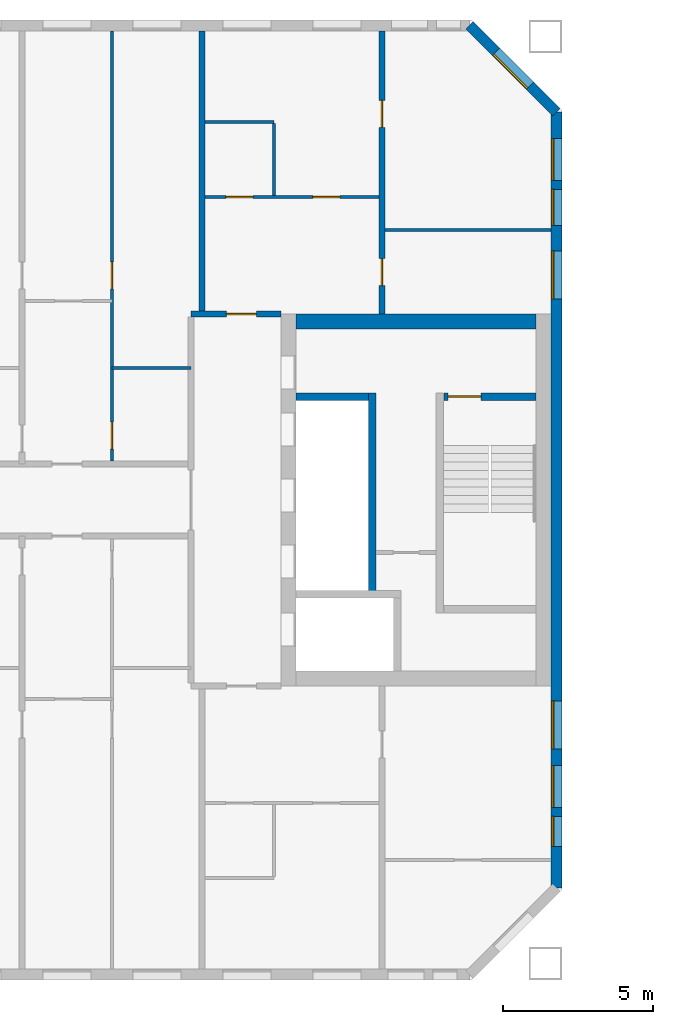
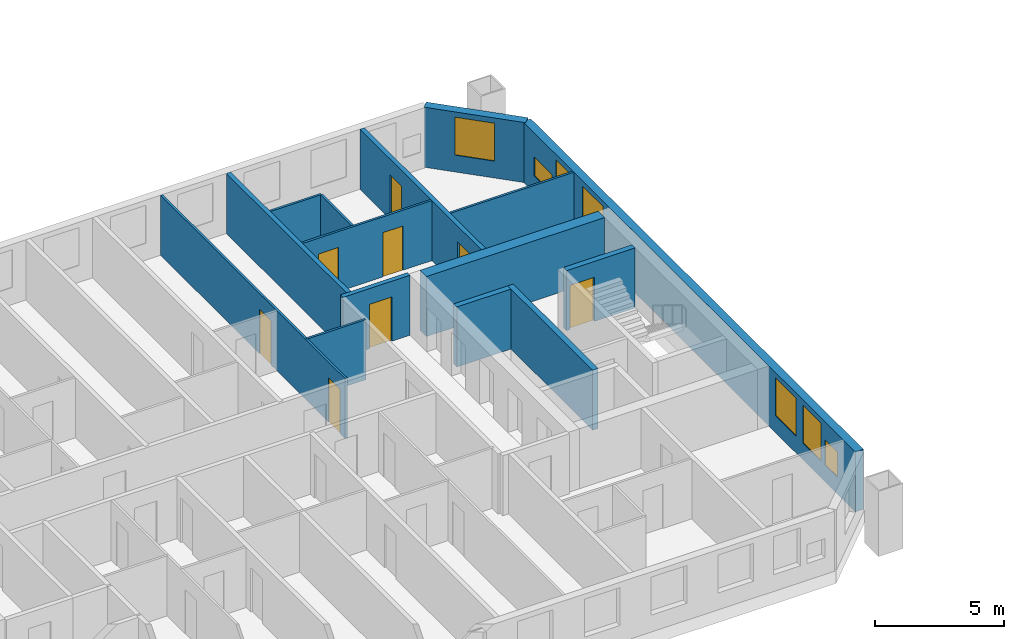
# One storey, part 7 of 15: 15 walls, 8 doors, 7 windows, 15 openings.
"""IFC4 building model written with IfcOpenShell, lengths in metres."""

from ifc_helpers import new_model, si_unit, direction, frame, frame_2d, origin, place, context, subcontext, project, spatial, rectangle, extrude, material, layer, layer_set, type_object, element, fill, save


model = new_model("IFC4")

# Units and contexts
model_context = context("Model", 3, precision=1e-05, world=origin(), true_north=direction((0.0, 1.0)))
body_context = subcontext(model_context, "Body", "Model", "MODEL_VIEW")
ifc_project = project(units=[si_unit("LENGTHUNIT", "METRE"), si_unit("AREAUNIT", "SQUARE_METRE"), si_unit("VOLUMEUNIT", "CUBIC_METRE"), si_unit("PLANEANGLEUNIT", "RADIAN"), si_unit("MASSUNIT", "GRAM", prefix="KILO")], contexts=[model_context])

# Site, building, storey
site_placement = place(None, origin())
site = spatial("IfcSite", under=ifc_project, at=site_placement, CompositionType="ELEMENT")
building_placement = place(site_placement, origin())
building = spatial("IfcBuilding", under=site, at=building_placement, Name="Tuart Gate Housing", CompositionType="ELEMENT")
storey_placement = place(building_placement, frame((0.0, 0.0, 148.5)))
storey = spatial("IfcBuildingStorey", under=building, at=storey_placement, Name="L41", CompositionType="ELEMENT", Elevation=148.5)

# Wall, openings, windows
ifc_material_1 = material(Name="Brick", Category="masonry")
ifc_layer_1 = layer(ifc_material_1, 0.360107421875)
ifc_layer_set_1 = layer_set([ifc_layer_1], Name="Brick pier and spandrel wall 360")
wall_type_1 = type_object("IfcWallType", Name="Brick pier and spandrel wall 360", PredefinedType="STANDARD", material=ifc_layer_set_1)
wall_1_placement = place(storey_placement, frame((75.820068359375, 57.07470703125, 0.0), z_axis=(0.0, 0.0, 1.0), x_axis=(0.0, 1.0, 0.0)))
wall_1 = element("IfcWall", 1, at=wall_1_placement, inside=storey, type_object=wall_type_1, Name="External wall A-E L41", PredefinedType="STANDARD", context=body_context, shape_type="SweptSolid", body=[
    extrude(rectangle(XDim=25.850830078125, YDim=0.360107421875, at=frame_2d((12.92529296875, 0.0))), origin(), (0.0, 0.0, 1.0), 2.85009765625),
])
opening_1_placement = place(wall_1_placement, frame((1.37548828125, 0.0, 0.800048828125)))
opening_1 = element("IfcOpeningElement", 2, at=opening_1_placement, cuts=wall_1, Name="Opening W1O", PredefinedType="OPENING", context=body_context, shape_type="SweptSolid", body=[
    extrude(rectangle(XDim=1.0, YDim=1.199951171875, at=frame_2d((0.5, 0.60009765625))), frame((0.0, 0.18994140625, 0.0), z_axis=(0.0, -1.0, 0.0), x_axis=(1.0, 0.0, 0.0)), (0.0, 0.0, 1.0), 0.380126953125),
])
opening_2_placement = place(wall_1_placement, frame((4.62548828125, 0.0, 0.800048828125)))
opening_2 = element("IfcOpeningElement", 3, at=opening_2_placement, cuts=wall_1, Name="Opening W1", PredefinedType="OPENING", context=body_context, shape_type="SweptSolid", body=[
    extrude(rectangle(XDim=1.60009765625, YDim=1.800048828125, at=frame_2d((0.800048828125, 0.89990234375))), frame((0.0, 0.18994140625, 0.0), z_axis=(0.0, -1.0, 0.0), x_axis=(1.0, 0.0, 0.0)), (0.0, 0.0, 1.0), 0.380126953125),
])
opening_3_placement = place(wall_1_placement, frame((19.62548828125, 0.0, 0.800048828125)))
opening_3 = element("IfcOpeningElement", 4, at=opening_3_placement, cuts=wall_1, Name="Opening W1", PredefinedType="OPENING", context=body_context, shape_type="SweptSolid", body=[
    extrude(rectangle(XDim=1.60009765625, YDim=1.800048828125, at=frame_2d((0.800048828125, 0.89990234375))), frame((0.0, 0.18994140625, 0.0), z_axis=(0.0, -1.0, 0.0), x_axis=(1.0, 0.0, 0.0)), (0.0, 0.0, 1.0), 0.380126953125),
])
opening_4_placement = place(wall_1_placement, frame((22.075439453125, 0.0, 0.800048828125)))
opening_4 = element("IfcOpeningElement", 5, at=opening_4_placement, cuts=wall_1, Name="Opening W1B", PredefinedType="OPENING", context=body_context, shape_type="SweptSolid", body=[
    extrude(rectangle(XDim=1.199951171875, YDim=1.800048828125, at=frame_2d((0.60009765625, 0.89990234375))), frame((0.0, 0.18994140625, 0.0), z_axis=(0.0, -1.0, 0.0), x_axis=(1.0, 0.0, 0.0)), (0.0, 0.0, 1.0), 0.380126953125),
])
opening_5_placement = place(wall_1_placement, frame((2.67529296875, 0.0, 0.800048828125)))
opening_5 = element("IfcOpeningElement", 6, at=opening_5_placement, cuts=wall_1, Name="Opening W1A", PredefinedType="OPENING", context=body_context, shape_type="SweptSolid", body=[
    extrude(rectangle(XDim=1.39990234375, YDim=1.800048828125, at=frame_2d((0.699951171875, 0.89990234375))), frame((0.0, 0.18994140625, 0.0), z_axis=(0.0, -1.0, 0.0), x_axis=(1.0, 0.0, 0.0)), (0.0, 0.0, 1.0), 0.380126953125),
])
opening_6_placement = place(wall_1_placement, frame((23.575439453125, 0.0, 0.800048828125)))
opening_6 = element("IfcOpeningElement", 7, at=opening_6_placement, cuts=wall_1, Name="Opening W1S", PredefinedType="OPENING", context=body_context, shape_type="SweptSolid", body=[
    extrude(rectangle(XDim=1.39990234375, YDim=0.89990234375, at=frame_2d((0.699951171875, 0.449951171875))), frame((0.0, 0.18994140625, 0.0), z_axis=(0.0, -1.0, 0.0), x_axis=(1.0, 0.0, 0.0)), (0.0, 0.0, 1.0), 0.380126953125),
])
ifc_material_2 = material(Name="Aluminium frame with clear glass", Category="aluminium")
window_type_1 = type_object("IfcWindowType", Name="Punched window 1000 x 1200", PartitioningType="SINGLE_PANEL", PredefinedType="WINDOW", material=ifc_material_2)
window_1_placement = place(opening_1_placement, origin())
window_1 = element("IfcWindow", 8, at=window_1_placement, inside=storey, type_object=window_type_1, Name="Window W1O", OverallHeight=1.199951171875, OverallWidth=1.0, PartitioningType="SINGLE_PANEL", PredefinedType="WINDOW", context=body_context, shape_type="SweptSolid", body=[
    extrude(rectangle(XDim=1.0, YDim=1.199951171875, at=frame_2d((0.5, 0.60009765625))), frame((0.0, 0.150146484375, 0.0), z_axis=(0.0, -1.0, 0.0), x_axis=(1.0, 0.0, 0.0)), (0.0, 0.0, 1.0), 0.06005859375),
])
fill(opening_1, window_1)
ifc_material_3 = material(Name="Aluminium frame with clear glass", Category="aluminium")
window_type_2 = type_object("IfcWindowType", Name="Punched window 1200 x 1800", PartitioningType="SINGLE_PANEL", PredefinedType="WINDOW", material=ifc_material_3)
window_2_placement = place(opening_4_placement, origin())
window_2 = element("IfcWindow", 9, at=window_2_placement, inside=storey, type_object=window_type_2, Name="Window W1B", OverallHeight=1.800048828125, OverallWidth=1.199951171875, PartitioningType="SINGLE_PANEL", PredefinedType="WINDOW", context=body_context, shape_type="SweptSolid", body=[
    extrude(rectangle(XDim=1.199951171875, YDim=1.800048828125, at=frame_2d((0.60009765625, 0.89990234375))), frame((0.0, 0.150146484375, 0.0), z_axis=(0.0, -1.0, 0.0), x_axis=(1.0, 0.0, 0.0)), (0.0, 0.0, 1.0), 0.06005859375),
])
fill(opening_4, window_2)
ifc_material_4 = material(Name="Aluminium frame with clear glass", Category="aluminium")
window_type_3 = type_object("IfcWindowType", Name="Punched window 1400 x 1800", PartitioningType="SINGLE_PANEL", PredefinedType="WINDOW", material=ifc_material_4)
window_3_placement = place(opening_5_placement, origin())
window_3 = element("IfcWindow", 10, at=window_3_placement, inside=storey, type_object=window_type_3, Name="Window W1A", OverallHeight=1.800048828125, OverallWidth=1.39990234375, PartitioningType="SINGLE_PANEL", PredefinedType="WINDOW", context=body_context, shape_type="SweptSolid", body=[
    extrude(rectangle(XDim=1.39990234375, YDim=1.800048828125, at=frame_2d((0.699951171875, 0.89990234375))), frame((0.0, 0.150146484375, 0.0), z_axis=(0.0, -1.0, 0.0), x_axis=(1.0, 0.0, 0.0)), (0.0, 0.0, 1.0), 0.06005859375),
])
fill(opening_5, window_3)
ifc_material_5 = material(Name="Aluminium frame with clear glass", Category="aluminium")
window_type_4 = type_object("IfcWindowType", Name="Punched window 1400 x 900", PartitioningType="SINGLE_PANEL", PredefinedType="WINDOW", material=ifc_material_5)
window_4_placement = place(opening_6_placement, origin())
window_4 = element("IfcWindow", 11, at=window_4_placement, inside=storey, type_object=window_type_4, Name="Window W1S", OverallHeight=0.89990234375, OverallWidth=1.39990234375, PartitioningType="SINGLE_PANEL", PredefinedType="WINDOW", context=body_context, shape_type="SweptSolid", body=[
    extrude(rectangle(XDim=1.39990234375, YDim=0.89990234375, at=frame_2d((0.699951171875, 0.449951171875))), frame((0.0, 0.150146484375, 0.0), z_axis=(0.0, -1.0, 0.0), x_axis=(1.0, 0.0, 0.0)), (0.0, 0.0, 1.0), 0.06005859375),
])
fill(opening_6, window_4)
ifc_material_6 = material(Name="Aluminium frame with clear glass", Category="aluminium")
window_type_5 = type_object("IfcWindowType", Name="Punched window 1600 x 1800", PartitioningType="SINGLE_PANEL", PredefinedType="WINDOW", material=ifc_material_6)
window_5_placement = place(opening_2_placement, origin())
window_5 = element("IfcWindow", 12, at=window_5_placement, inside=storey, type_object=window_type_5, Name="Window W1", OverallHeight=1.800048828125, OverallWidth=1.60009765625, PartitioningType="SINGLE_PANEL", PredefinedType="WINDOW", context=body_context, shape_type="SweptSolid", body=[
    extrude(rectangle(XDim=1.60009765625, YDim=1.800048828125, at=frame_2d((0.800048828125, 0.89990234375))), frame((0.0, 0.150146484375, 0.0), z_axis=(0.0, -1.0, 0.0), x_axis=(1.0, 0.0, 0.0)), (0.0, 0.0, 1.0), 0.06005859375),
])
fill(opening_2, window_5)
window_6_placement = place(opening_3_placement, origin())
window_6 = element("IfcWindow", 13, at=window_6_placement, inside=storey, type_object=window_type_5, Name="Window W1", OverallHeight=1.800048828125, OverallWidth=1.60009765625, PartitioningType="SINGLE_PANEL", PredefinedType="WINDOW", context=body_context, shape_type="SweptSolid", body=[
    extrude(rectangle(XDim=1.60009765625, YDim=1.800048828125, at=frame_2d((0.800048828125, 0.89990234375))), frame((0.0, 0.150146484375, 0.0), z_axis=(0.0, -1.0, 0.0), x_axis=(1.0, 0.0, 0.0)), (0.0, 0.0, 1.0), 0.06005859375),
])
fill(opening_3, window_6)

# Wall, opening, window
wall_2_placement = place(storey_placement, frame((75.820068359375, 82.92529296875, 0.0), z_axis=(0.0, 0.0, 1.0), x_axis=(-0.707106781187, 0.707106781187, 0.0)))
wall_2 = element("IfcWall", 14, at=wall_2_placement, inside=storey, type_object=wall_type_1, Name="External wall A-NE L41", PredefinedType="STANDARD", context=body_context, shape_type="SweptSolid", body=[
    extrude(rectangle(XDim=4.09375, YDim=0.360107421875, at=frame_2d((2.046875, 0.0))), origin(), (0.0, 0.0, 1.0), 2.85009765625),
])
opening_7_placement = place(wall_2_placement, frame((1.2470703125, 0.0, 0.800048828125)))
opening_7 = element("IfcOpeningElement", 15, at=opening_7_placement, cuts=wall_2, Name="Opening W1", PredefinedType="OPENING", context=body_context, shape_type="SweptSolid", body=[
    extrude(rectangle(XDim=1.60009765625, YDim=1.800048828125, at=frame_2d((0.800048828125, 0.89990234375))), frame((0.0, 0.18994140625, 0.0), z_axis=(0.0, -1.0, 0.0), x_axis=(1.0, 0.0, 0.0)), (0.0, 0.0, 1.0), 0.380126953125),
])
window_7_placement = place(opening_7_placement, origin())
window_7 = element("IfcWindow", 16, at=window_7_placement, inside=storey, type_object=window_type_5, Name="Window W1", OverallHeight=1.800048828125, OverallWidth=1.60009765625, PartitioningType="SINGLE_PANEL", PredefinedType="WINDOW", context=body_context, shape_type="SweptSolid", body=[
    extrude(rectangle(XDim=1.60009765625, YDim=1.800048828125, at=frame_2d((0.800048828125, 0.89990234375))), frame((0.0, 0.150146484375, 0.0), z_axis=(0.0, -1.0, 0.0), x_axis=(1.0, 0.0, 0.0)), (0.0, 0.0, 1.0), 0.06005859375),
])
fill(opening_7, window_7)

# Wall
ifc_material_7 = material(Name="Concrete C40", Category="concrete")
ifc_layer_2 = layer(ifc_material_7, 0.25)
ifc_layer_set_2 = layer_set([ifc_layer_2], Name="Core wall 250 C40")
wall_type_2 = type_object("IfcWallType", Name="Core wall 250 C40", PredefinedType="SHEAR", material=ifc_layer_set_2)
wall_3_placement = place(storey_placement, frame((67.139892578125, 73.449951171875, 0.0), z_axis=(0.0, 0.0, 1.0), x_axis=(1.0, 0.0, 0.0)))
element("IfcWall", 17, at=wall_3_placement, inside=storey, type_object=wall_type_2, Name="Core wall AG.4", PredefinedType="SHEAR", context=body_context, shape_type="SweptSolid", body=[
    extrude(rectangle(XDim=2.425048828125, YDim=0.25, at=frame_2d((1.21240234375, 0.0))), origin(), (0.0, 0.0, 1.0), 2.85009765625),
])

# Wall, opening, door
wall_4_placement = place(storey_placement, frame((72.06494140625, 73.449951171875, 0.0), z_axis=(0.0, 0.0, 1.0), x_axis=(1.0, 0.0, 0.0)))
wall_4 = element("IfcWall", 18, at=wall_4_placement, inside=storey, type_object=wall_type_2, Name="Core wall AG.5", PredefinedType="SHEAR", context=body_context, shape_type="SweptSolid", body=[
    extrude(rectangle(XDim=3.074951171875, YDim=0.25, at=frame_2d((1.53759765625, 0.0))), origin(), (0.0, 0.0, 1.0), 2.85009765625),
])
opening_8_placement = place(wall_4_placement, frame((0.14990234375, 0.0, 0.0)))
opening_8 = element("IfcOpeningElement", 19, at=opening_8_placement, cuts=wall_4, Name="Opening D1538", PredefinedType="OPENING", context=body_context, shape_type="SweptSolid", body=[
    extrude(rectangle(XDim=1.10009765625, YDim=2.10009765625, at=frame_2d((0.550048828125, 1.050048828125))), frame((0.0, 0.135009765625, 0.0), z_axis=(0.0, -1.0, 0.0), x_axis=(1.0, 0.0, 0.0)), (0.0, 0.0, 1.0), 0.27001953125),
])
ifc_material_8 = material(Name="Steel fire door", Category="steel")
door_type_1 = type_object("IfcDoorType", Name="Stair door 1100 x 2100 RH", OperationType="SINGLE_SWING_RIGHT", PredefinedType="DOOR", material=ifc_material_8)
door_1_placement = place(opening_8_placement, frame((1.10009765625, 0.0, 0.0), z_axis=(0.0, 0.0, 1.0), x_axis=(-1.0, 0.0, 0.0)))
door_1 = element("IfcDoor", 20, at=door_1_placement, inside=storey, type_object=door_type_1, Name="Stair door AG.SD", OperationType="SINGLE_SWING_RIGHT", OverallHeight=2.10009765625, OverallWidth=1.10009765625, PredefinedType="DOOR", context=body_context, shape_type="SweptSolid", body=[
    extrude(rectangle(XDim=1.10009765625, YDim=2.10009765625, at=frame_2d((0.550048828125, 1.050048828125))), frame((0.0, 0.025146484375, 0.0), z_axis=(0.0, -1.0, 0.0), x_axis=(1.0, 0.0, 0.0)), (0.0, 0.0, 1.0), 0.050048828125),
])
fill(opening_8, door_1)

# Walls
wall_5_placement = place(storey_placement, frame((69.68994140625, 66.97509765625, 0.0), z_axis=(0.0, 0.0, 1.0), x_axis=(0.0, 1.0, 0.0)))
element("IfcWall", 21, at=wall_5_placement, inside=storey, type_object=wall_type_2, Name="Core wall AG.6", PredefinedType="SHEAR", context=body_context, shape_type="SweptSolid", body=[
    extrude(rectangle(XDim=6.599853515625, YDim=0.25, at=frame_2d((3.2998046875, 0.0))), origin(), (0.0, 0.0, 1.0), 2.85009765625),
])
ifc_material_9 = material(Name="Concrete C40", Category="concrete")
ifc_layer_3 = layer(ifc_material_9, 0.5)
ifc_layer_set_3 = layer_set([ifc_layer_3], Name="Core wall 500 C40")
wall_type_3 = type_object("IfcWallType", Name="Core wall 500 C40", PredefinedType="SHEAR", material=ifc_layer_set_3)
wall_6_placement = place(storey_placement, frame((67.139892578125, 75.949951171875, 0.0), z_axis=(0.0, 0.0, 1.0), x_axis=(1.0, 0.0, 0.0)))
element("IfcWall", 22, at=wall_6_placement, inside=storey, type_object=wall_type_3, Name="Core wall AG north", PredefinedType="SHEAR", context=body_context, shape_type="SweptSolid", body=[
    extrude(rectangle(XDim=8.0, YDim=0.5, at=frame_2d((4.0, 0.0))), origin(), (0.0, 0.0, 1.0), 2.85009765625),
])

# Wall, opening, door
ifc_material_10 = material(Name="Concrete masonry 15 MPa", Category="masonry")
ifc_layer_4 = layer(ifc_material_10, 0.199951171875)
ifc_layer_set_4 = layer_set([ifc_layer_4], Name="Enclosure wall masonry 200")
wall_type_4 = type_object("IfcWallType", Name="Enclosure wall masonry 200", PredefinedType="PARTITIONING", material=ifc_layer_set_4)
wall_7_placement = place(storey_placement, frame((63.639892578125, 76.199951171875, 0.0), z_axis=(0.0, 0.0, 1.0), x_axis=(1.0, 0.0, 0.0)))
wall_7 = element("IfcWall", 23, at=wall_7_placement, inside=storey, type_object=wall_type_4, Name="Enclosure wall masonry 200", PredefinedType="PARTITIONING", context=body_context, shape_type="SweptSolid", body=[
    extrude(rectangle(XDim=3.0, YDim=0.199951171875, at=frame_2d((1.5, 0.0))), origin(), (0.0, 0.0, 1.0), 2.85009765625),
])
opening_9_placement = place(wall_7_placement, frame((1.179931640625, 0.0, 0.0)))
opening_9 = element("IfcOpeningElement", 24, at=opening_9_placement, cuts=wall_7, Name="Opening D1536", PredefinedType="OPENING", context=body_context, shape_type="SweptSolid", body=[
    extrude(rectangle(XDim=1.0, YDim=2.10009765625, at=frame_2d((0.5, 1.050048828125))), frame((0.0, 0.10986328125, 0.0), z_axis=(0.0, -1.0, 0.0), x_axis=(1.0, 0.0, 0.0)), (0.0, 0.0, 1.0), 0.219970703125),
])
ifc_material_11 = material(Name="Timber door leaf in steel frame", Category="steel")
door_type_2 = type_object("IfcDoorType", Name="Flat entrance door 1000", OperationType="SINGLE_SWING_LEFT", PredefinedType="DOOR", material=ifc_material_11)
door_2_placement = place(opening_9_placement, origin())
door_2 = element("IfcDoor", 25, at=door_2_placement, inside=storey, type_object=door_type_2, Name="Flat entrance door", OperationType="SINGLE_SWING_LEFT", OverallHeight=2.10009765625, OverallWidth=1.0, PredefinedType="DOOR", context=body_context, shape_type="SweptSolid", body=[
    extrude(rectangle(XDim=1.0, YDim=2.10009765625, at=frame_2d((0.5, 1.050048828125))), frame((0.0, 0.02490234375, 0.0), z_axis=(0.0, -1.0, 0.0), x_axis=(1.0, 0.0, 0.0)), (0.0, 0.0, 1.0), 0.050048828125),
])
fill(opening_9, door_2)

# Walls
ifc_material_12 = material(Name="Gypsum board on steel studs", Category="steel")
ifc_layer_5 = layer(ifc_material_12, 0.10009765625)
ifc_layer_set_5 = layer_set([ifc_layer_5], Name="Partition 100")
wall_type_5 = type_object("IfcWallType", Name="Partition 100", PredefinedType="PARTITIONING", material=ifc_layer_set_5)
wall_8_placement = place(storey_placement, frame((61.0, 74.39990234375, 0.0), z_axis=(0.0, 0.0, 1.0), x_axis=(1.0, 0.0, 0.0)))
element("IfcWall", 26, at=wall_8_placement, inside=storey, type_object=wall_type_5, Name="Partition 100", PredefinedType="PARTITIONING", context=body_context, shape_type="SweptSolid", body=[
    extrude(rectangle(XDim=2.639892578125, YDim=0.10009765625, at=frame_2d((1.31982421875, 0.0))), origin(), (0.0, 0.0, 1.0), 2.85009765625),
])
wall_9_placement = place(storey_placement, frame((70.10009765625, 79.0, 0.0), z_axis=(0.0, 0.0, 1.0), x_axis=(1.0, 0.0, 0.0)))
element("IfcWall", 27, at=wall_9_placement, inside=storey, type_object=wall_type_5, Name="Partition 100", PredefinedType="PARTITIONING", context=body_context, shape_type="SweptSolid", body=[
    extrude(rectangle(XDim=5.539794921875, YDim=0.10009765625, at=frame_2d((2.77001953125, 0.0))), origin(), (0.0, 0.0, 1.0), 2.85009765625),
])

# Wall, openings, doors
wall_10_placement = place(storey_placement, frame((64.10009765625, 80.10009765625, 0.0), z_axis=(0.0, 0.0, 1.0), x_axis=(1.0, 0.0, 0.0)))
wall_10 = element("IfcWall", 28, at=wall_10_placement, inside=storey, type_object=wall_type_5, Name="Partition 100", PredefinedType="PARTITIONING", context=body_context, shape_type="SweptSolid", body=[
    extrude(rectangle(XDim=5.7998046875, YDim=0.10009765625, at=frame_2d((2.89990234375, 0.0))), origin(), (0.0, 0.0, 1.0), 2.85009765625),
])
opening_10_placement = place(wall_10_placement, frame((3.60009765625, 0.0, 0.0)))
opening_10 = element("IfcOpeningElement", 29, at=opening_10_placement, cuts=wall_10, Name="Opening D1522", PredefinedType="OPENING", context=body_context, shape_type="SweptSolid", body=[
    extrude(rectangle(XDim=0.89990234375, YDim=2.10009765625, at=frame_2d((0.449951171875, 1.050048828125))), frame((0.0, 0.06005859375, 0.0), z_axis=(0.0, -1.0, 0.0), x_axis=(1.0, 0.0, 0.0)), (0.0, 0.0, 1.0), 0.1201171875),
])
opening_11_placement = place(wall_10_placement, frame((0.699951171875, 0.0, 0.0)))
opening_11 = element("IfcOpeningElement", 30, at=opening_11_placement, cuts=wall_10, Name="Opening D1521", PredefinedType="OPENING", context=body_context, shape_type="SweptSolid", body=[
    extrude(rectangle(XDim=0.89990234375, YDim=2.10009765625, at=frame_2d((0.449951171875, 1.050048828125))), frame((0.0, 0.06005859375, 0.0), z_axis=(0.0, -1.0, 0.0), x_axis=(1.0, 0.0, 0.0)), (0.0, 0.0, 1.0), 0.1201171875),
])
ifc_material_13 = material(Name="Timber door leaf in steel frame", Category="steel")
door_type_3 = type_object("IfcDoorType", Name="Bathroom door 900 RH", OperationType="SINGLE_SWING_RIGHT", PredefinedType="DOOR", material=ifc_material_13)
door_3_placement = place(opening_11_placement, origin())
door_3 = element("IfcDoor", 31, at=door_3_placement, inside=storey, type_object=door_type_3, Name="Bathroom door", OperationType="SINGLE_SWING_RIGHT", OverallHeight=2.10009765625, OverallWidth=0.89990234375, PredefinedType="DOOR", context=body_context, shape_type="SweptSolid", body=[
    extrude(rectangle(XDim=0.89990234375, YDim=2.10009765625, at=frame_2d((0.449951171875, 1.050048828125))), frame((0.0, 0.02490234375, 0.0), z_axis=(0.0, -1.0, 0.0), x_axis=(1.0, 0.0, 0.0)), (0.0, 0.0, 1.0), 0.050048828125),
])
fill(opening_11, door_3)
ifc_material_14 = material(Name="Timber door leaf in steel frame", Category="steel")
door_type_4 = type_object("IfcDoorType", Name="Internal door 900", OperationType="SINGLE_SWING_LEFT", PredefinedType="DOOR", material=ifc_material_14)
door_4_placement = place(opening_10_placement, frame((0.89990234375, 0.0, 0.0), z_axis=(0.0, 0.0, 1.0), x_axis=(-1.0, 0.0, 0.0)))
door_4 = element("IfcDoor", 32, at=door_4_placement, inside=storey, type_object=door_type_4, Name="Internal door", OperationType="SINGLE_SWING_LEFT", OverallHeight=2.10009765625, OverallWidth=0.89990234375, PredefinedType="DOOR", context=body_context, shape_type="SweptSolid", body=[
    extrude(rectangle(XDim=0.89990234375, YDim=2.10009765625, at=frame_2d((0.449951171875, 1.050048828125))), frame((0.0, 0.025146484375, 0.0), z_axis=(0.0, -1.0, 0.0), x_axis=(1.0, 0.0, 0.0)), (0.0, 0.0, 1.0), 0.050048828125),
])
fill(opening_10, door_4)

# Wall
wall_11_placement = place(storey_placement, frame((64.10009765625, 82.60009765625, 0.0), z_axis=(0.0, 0.0, 1.0), x_axis=(1.0, 0.0, 0.0)))
element("IfcWall", 33, at=wall_11_placement, inside=storey, type_object=wall_type_5, Name="Partition 100", PredefinedType="PARTITIONING", context=body_context, shape_type="SweptSolid", body=[
    extrude(rectangle(XDim=2.2998046875, YDim=0.10009765625, at=frame_2d((1.14990234375, 0.0))), origin(), (0.0, 0.0, 1.0), 2.85009765625),
])

# Wall, openings, doors
wall_12_placement = place(storey_placement, frame((61.0, 71.300048828125, 0.0), z_axis=(0.0, 0.0, 1.0), x_axis=(0.0, 1.0, 0.0)))
wall_12 = element("IfcWall", 34, at=wall_12_placement, inside=storey, type_object=wall_type_5, Name="Partition 100", PredefinedType="PARTITIONING", context=body_context, shape_type="SweptSolid", body=[
    extrude(rectangle(XDim=14.33984375, YDim=0.10009765625, at=frame_2d((7.169921875, 0.0))), origin(), (0.0, 0.0, 1.0), 2.85009765625),
])
opening_12_placement = place(wall_12_placement, frame((5.739990234375, 0.0, 0.0)))
opening_12 = element("IfcOpeningElement", 35, at=opening_12_placement, cuts=wall_12, Name="Opening D1528", PredefinedType="OPENING", context=body_context, shape_type="SweptSolid", body=[
    extrude(rectangle(XDim=0.89990234375, YDim=2.10009765625, at=frame_2d((0.449951171875, 1.050048828125))), frame((0.0, 0.06005859375, 0.0), z_axis=(0.0, -1.0, 0.0), x_axis=(1.0, 0.0, 0.0)), (0.0, 0.0, 1.0), 0.1201171875),
])
opening_13_placement = place(wall_12_placement, frame((0.39990234375, 0.0, 0.0)))
opening_13 = element("IfcOpeningElement", 36, at=opening_13_placement, cuts=wall_12, Name="Opening D1527", PredefinedType="OPENING", context=body_context, shape_type="SweptSolid", body=[
    extrude(rectangle(XDim=0.89990234375, YDim=2.10009765625, at=frame_2d((0.449951171875, 1.050048828125))), frame((0.0, 0.06005859375, 0.0), z_axis=(0.0, -1.0, 0.0), x_axis=(1.0, 0.0, 0.0)), (0.0, 0.0, 1.0), 0.1201171875),
])
door_5_placement = place(opening_13_placement, frame((0.89990234375, 0.0, 0.0), z_axis=(0.0, 0.0, 1.0), x_axis=(-1.0, 0.0, 0.0)))
door_5 = element("IfcDoor", 37, at=door_5_placement, inside=storey, type_object=door_type_3, Name="Bathroom door", OperationType="SINGLE_SWING_RIGHT", OverallHeight=2.10009765625, OverallWidth=0.89990234375, PredefinedType="DOOR", context=body_context, shape_type="SweptSolid", body=[
    extrude(rectangle(XDim=0.89990234375, YDim=2.10009765625, at=frame_2d((0.449951171875, 1.050048828125))), frame((0.0, 0.025146484375, 0.0), z_axis=(0.0, -1.0, 0.0), x_axis=(1.0, 0.0, 0.0)), (0.0, 0.0, 1.0), 0.050048828125),
])
fill(opening_13, door_5)
ifc_material_15 = material(Name="Timber door leaf in steel frame", Category="steel")
door_type_5 = type_object("IfcDoorType", Name="Internal door 900 RH", OperationType="SINGLE_SWING_RIGHT", PredefinedType="DOOR", material=ifc_material_15)
door_6_placement = place(opening_12_placement, frame((0.89990234375, 0.0, 0.0), z_axis=(0.0, 0.0, 1.0), x_axis=(-1.0, 0.0, 0.0)))
door_6 = element("IfcDoor", 38, at=door_6_placement, inside=storey, type_object=door_type_5, Name="Internal door", OperationType="SINGLE_SWING_RIGHT", OverallHeight=2.10009765625, OverallWidth=0.89990234375, PredefinedType="DOOR", context=body_context, shape_type="SweptSolid", body=[
    extrude(rectangle(XDim=0.89990234375, YDim=2.10009765625, at=frame_2d((0.449951171875, 1.050048828125))), frame((0.0, 0.025146484375, 0.0), z_axis=(0.0, -1.0, 0.0), x_axis=(1.0, 0.0, 0.0)), (0.0, 0.0, 1.0), 0.050048828125),
])
fill(opening_12, door_6)

# Walls
wall_13_placement = place(storey_placement, frame((66.39990234375, 80.14990234375, 0.0), z_axis=(0.0, 0.0, 1.0), x_axis=(0.0, 1.0, 0.0)))
element("IfcWall", 39, at=wall_13_placement, inside=storey, type_object=wall_type_5, Name="Partition 100", PredefinedType="PARTITIONING", context=body_context, shape_type="SweptSolid", body=[
    extrude(rectangle(XDim=2.400146484375, YDim=0.10009765625, at=frame_2d((1.2001953125, 0.0))), origin(), (0.0, 0.0, 1.0), 2.85009765625),
])
ifc_material_16 = material(Name="Concrete C40", Category="concrete")
ifc_layer_6 = layer(ifc_material_16, 0.199951171875)
ifc_layer_set_6 = layer_set([ifc_layer_6], Name="Party wall concrete C40 200")
wall_type_6 = type_object("IfcWallType", Name="Party wall concrete C40 200", PredefinedType="SOLIDWALL", material=ifc_layer_set_6)
wall_14_placement = place(storey_placement, frame((64.0, 76.199951171875, 0.0), z_axis=(0.0, 0.0, 1.0), x_axis=(0.0, 1.0, 0.0)))
element("IfcWall", 40, at=wall_14_placement, inside=storey, type_object=wall_type_6, Name="Party wall concrete C40 200", PredefinedType="SOLIDWALL", context=body_context, shape_type="SweptSolid", body=[
    extrude(rectangle(XDim=9.43994140625, YDim=0.199951171875, at=frame_2d((4.719970703125, 0.0))), origin(), (0.0, 0.0, 1.0), 2.85009765625),
])

# Wall, openings, doors
wall_15_placement = place(storey_placement, frame((70.0, 76.199951171875, 0.0), z_axis=(0.0, 0.0, 1.0), x_axis=(0.0, 1.0, 0.0)))
wall_15 = element("IfcWall", 41, at=wall_15_placement, inside=storey, type_object=wall_type_6, Name="Party wall concrete C40 200", PredefinedType="SOLIDWALL", context=body_context, shape_type="SweptSolid", body=[
    extrude(rectangle(XDim=9.43994140625, YDim=0.199951171875, at=frame_2d((4.719970703125, 0.0))), origin(), (0.0, 0.0, 1.0), 2.85009765625),
])
opening_14_placement = place(wall_15_placement, frame((6.219970703125, 0.0, 0.0)))
opening_14 = element("IfcOpeningElement", 42, at=opening_14_placement, cuts=wall_15, Name="Opening D1518", PredefinedType="OPENING", context=body_context, shape_type="SweptSolid", body=[
    extrude(rectangle(XDim=0.89990234375, YDim=2.10009765625, at=frame_2d((0.449951171875, 1.050048828125))), frame((0.0, 0.10986328125, 0.0), z_axis=(0.0, -1.0, 0.0), x_axis=(1.0, 0.0, 0.0)), (0.0, 0.0, 1.0), 0.219970703125),
])
opening_15_placement = place(wall_15_placement, frame((0.949951171875, 0.0, 0.0)))
opening_15 = element("IfcOpeningElement", 43, at=opening_15_placement, cuts=wall_15, Name="Opening D1519", PredefinedType="OPENING", context=body_context, shape_type="SweptSolid", body=[
    extrude(rectangle(XDim=0.89990234375, YDim=2.10009765625, at=frame_2d((0.449951171875, 1.050048828125))), frame((0.0, 0.10986328125, 0.0), z_axis=(0.0, -1.0, 0.0), x_axis=(1.0, 0.0, 0.0)), (0.0, 0.0, 1.0), 0.219970703125),
])
door_7_placement = place(opening_14_placement, frame((0.89990234375, 0.0, 0.0), z_axis=(0.0, 0.0, 1.0), x_axis=(-1.0, 0.0, 0.0)))
door_7 = element("IfcDoor", 44, at=door_7_placement, inside=storey, type_object=door_type_4, Name="Internal door", OperationType="SINGLE_SWING_LEFT", OverallHeight=2.10009765625, OverallWidth=0.89990234375, PredefinedType="DOOR", context=body_context, shape_type="SweptSolid", body=[
    extrude(rectangle(XDim=0.89990234375, YDim=2.10009765625, at=frame_2d((0.449951171875, 1.050048828125))), frame((0.0, 0.025146484375, 0.0), z_axis=(0.0, -1.0, 0.0), x_axis=(1.0, 0.0, 0.0)), (0.0, 0.0, 1.0), 0.050048828125),
])
fill(opening_14, door_7)
door_8_placement = place(opening_15_placement, frame((0.89990234375, 0.0, 0.0), z_axis=(0.0, 0.0, 1.0), x_axis=(-1.0, 0.0, 0.0)))
door_8 = element("IfcDoor", 45, at=door_8_placement, inside=storey, type_object=door_type_5, Name="Internal door", OperationType="SINGLE_SWING_RIGHT", OverallHeight=2.10009765625, OverallWidth=0.89990234375, PredefinedType="DOOR", context=body_context, shape_type="SweptSolid", body=[
    extrude(rectangle(XDim=0.89990234375, YDim=2.10009765625, at=frame_2d((0.449951171875, 1.050048828125))), frame((0.0, 0.025146484375, 0.0), z_axis=(0.0, -1.0, 0.0), x_axis=(1.0, 0.0, 0.0)), (0.0, 0.0, 1.0), 0.050048828125),
])
fill(opening_15, door_8)

save(model, "model.ifc")
